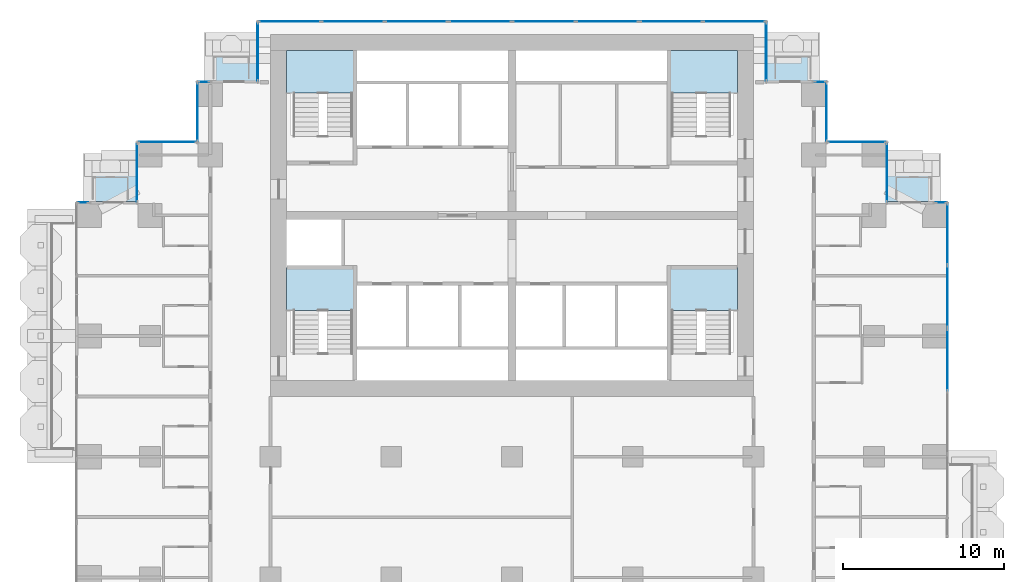
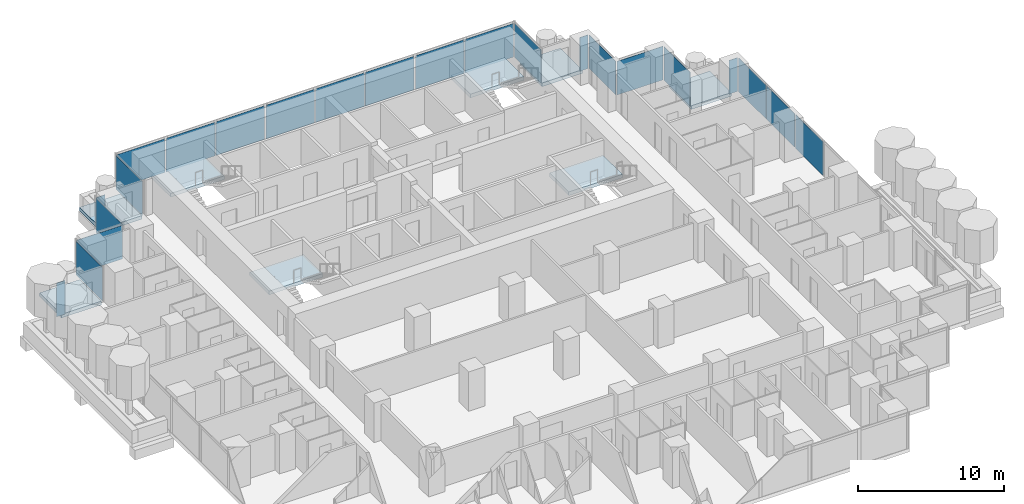
# One storey, part 9 of 19: 23 plates, 8 slabs, 21 elements without a shape of their own.
"""IFC4 building model written with IfcOpenShell, lengths in metres."""

from ifc_helpers import new_model, si_unit, direction, frame, origin, origin_2d, place, context, subcontext, project, spatial, polyline, rectangle, outline, extrude, material, layer, layer_set, type_object, element, aggregate, save


model = new_model("IFC4")

# Units and contexts
model_context = context("Model", 3, precision=1e-05, world=origin(), true_north=direction((0.0, 1.0)))
body_context = subcontext(model_context, "Body", "Model", "MODEL_VIEW")
ifc_project = project(units=[si_unit("LENGTHUNIT", "METRE"), si_unit("AREAUNIT", "SQUARE_METRE"), si_unit("VOLUMEUNIT", "CUBIC_METRE"), si_unit("PLANEANGLEUNIT", "RADIAN"), si_unit("MASSUNIT", "GRAM", prefix="KILO")], contexts=[model_context])

# Site, building, storey
site_placement = place(None, origin())
site = spatial("IfcSite", under=ifc_project, at=site_placement, CompositionType="ELEMENT")
building_placement = place(site_placement, origin())
building = spatial("IfcBuilding", under=site, at=building_placement, Name="Pilkhan Gate Tower", CompositionType="ELEMENT")
storey_placement = place(building_placement, frame((0.0, 0.0, 62.60009765625)))
storey = spatial("IfcBuildingStorey", under=building, at=storey_placement, Name="L13", CompositionType="ELEMENT", Elevation=62.60009765625)

# Slabs
ifc_material_1 = material(Name="Concrete C60/75", Category="concrete")
ifc_layer_1 = layer(ifc_material_1, 0.300048828125)
ifc_layer_set_1 = layer_set([ifc_layer_1], Name="Balcony tray slab TR300")
slab_type_1 = type_object("IfcSlabType", Name="Balcony tray slab TR300", PredefinedType="FLOOR", material=ifc_layer_set_1)
slab_1_placement = place(storey_placement, frame((0.0, 0.0, -0.300048828125)))
element("IfcSlab", 1, at=slab_1_placement, inside=storey, type_object=slab_type_1, Name="Balcony tray L13 N", PredefinedType="FLOOR", context=body_context, shape_type="SweptSolid", body=[
    extrude(outline(polyline([(59.14990234375, 90.85009765625), (59.14990234375, 93.85009765625), (55.949951171875, 93.85009765625), (55.949951171875, 90.85009765625), (59.14990234375, 90.85009765625)])), origin(), (0.0, 0.0, 1.0), 0.300048828125),
])
slab_2_placement = place(storey_placement, frame((0.0, 0.0, -0.300048828125)))
element("IfcSlab", 2, at=slab_2_placement, inside=storey, type_object=slab_type_1, Name="Balcony tray L13 N", PredefinedType="FLOOR", context=body_context, shape_type="SweptSolid", body=[
    extrude(outline(polyline([(94.050048828125, 90.85009765625), (94.050048828125, 93.85009765625), (90.85009765625, 93.85009765625), (90.85009765625, 90.85009765625), (94.050048828125, 90.85009765625)])), origin(), (0.0, 0.0, 1.0), 0.300048828125),
])
slab_3_placement = place(storey_placement, frame((0.0, 0.0, -0.300048828125)))
element("IfcSlab", 3, at=slab_3_placement, inside=storey, type_object=slab_type_1, Name="Balcony tray L13 N", PredefinedType="FLOOR", context=body_context, shape_type="SweptSolid", body=[
    extrude(outline(polyline([(51.6298828125, 83.3701171875), (51.6298828125, 86.35009765625), (48.449951171875, 86.35009765625), (48.449951171875, 83.3701171875), (51.6298828125, 83.3701171875)])), origin(), (0.0, 0.0, 1.0), 0.300048828125),
])
slab_4_placement = place(storey_placement, frame((0.0, 0.0, -0.300048828125)))
element("IfcSlab", 4, at=slab_4_placement, inside=storey, type_object=slab_type_1, Name="Balcony tray L13 N", PredefinedType="FLOOR", context=body_context, shape_type="SweptSolid", body=[
    extrude(outline(polyline([(101.550048828125, 83.3701171875), (101.550048828125, 86.35009765625), (98.3701171875, 86.35009765625), (98.3701171875, 83.3701171875), (101.550048828125, 83.3701171875)])), origin(), (0.0, 0.0, 1.0), 0.300048828125),
])

# Curtain wall, plate
ifc_material_2 = material(Name="Pale anodised aluminium, clear low-iron double glazing", Category="aluminium")
curtain_wall_type = type_object("IfcCurtainWallType", Name="Hotel unitised curtain wall CW-H", PredefinedType="USERDEFINED", material=ifc_material_2)
curtain_wall_1_placement = place(storey_placement, origin())
curtain_wall_1 = element("IfcCurtainWall", 5, at=curtain_wall_1_placement, inside=storey, type_object=curtain_wall_type, Name="Hotel unitised curtain wall CW-H L13 E", ObjectType="UNITISED CURTAIN WALL", PredefinedType="USERDEFINED")
ifc_material_3 = material(Name="Clear low-iron double glazing", Category="glass")
ifc_layer_2 = layer(ifc_material_3, 0.035888671875)
ifc_layer_set_2 = layer_set([ifc_layer_2], Name="Glass panel CW-H 36")
plate_type = type_object("IfcPlateType", Name="Glass panel CW-H 36", PredefinedType="CURTAIN_PANEL", material=ifc_layer_set_2)
plate_1_placement = place(storey_placement, frame((102.044921875, 73.50634765625, 0.0), z_axis=(0.0, 0.0, 1.0), x_axis=(0.0, 1.0, 0.0)))
plate_1 = element("IfcPlate", 6, at=plate_1_placement, type_object=plate_type, Name="CW-H panel 3", PredefinedType="CURTAIN_PANEL", context=body_context, shape_type="SweptSolid", body=[
    extrude(rectangle(XDim=3.8115234375, YDim=0.035888671875, at=origin_2d()), origin(), (0.0, 0.0, 1.0), 2.820068359375),
])
aggregate(curtain_wall_1, [plate_1])

# Curtain wall, plates
curtain_wall_2_placement = place(storey_placement, origin())
curtain_wall_2 = element("IfcCurtainWall", 7, at=curtain_wall_2_placement, inside=storey, type_object=curtain_wall_type, Name="Hotel unitised curtain wall CW-H L13 E", ObjectType="UNITISED CURTAIN WALL", PredefinedType="USERDEFINED")
plate_2_placement = place(storey_placement, frame((102.044921875, 77.44775390625, 0.0), z_axis=(0.0, 0.0, 1.0), x_axis=(0.0, 1.0, 0.0)))
plate_2 = element("IfcPlate", 8, at=plate_2_placement, type_object=plate_type, Name="CW-H panel 1", PredefinedType="CURTAIN_PANEL", context=body_context, shape_type="SweptSolid", body=[
    extrude(rectangle(XDim=3.8115234375, YDim=0.035888671875, at=origin_2d()), origin(), (0.0, 0.0, 1.0), 2.820068359375),
])
plate_3_placement = place(storey_placement, frame((102.044921875, 81.32421875, 0.0), z_axis=(0.0, 0.0, 1.0), x_axis=(0.0, 1.0, 0.0)))
plate_3 = element("IfcPlate", 9, at=plate_3_placement, type_object=plate_type, Name="CW-H panel 2", PredefinedType="CURTAIN_PANEL", context=body_context, shape_type="SweptSolid", body=[
    extrude(rectangle(XDim=3.8115234375, YDim=0.035888671875, at=origin_2d()), origin(), (0.0, 0.0, 1.0), 2.820068359375),
])
aggregate(curtain_wall_2, [plate_2, plate_3])

# Curtain wall, plate
curtain_wall_3_placement = place(storey_placement, origin())
curtain_wall_3 = element("IfcCurtainWall", 10, at=curtain_wall_3_placement, inside=storey, type_object=curtain_wall_type, Name="Hotel unitised curtain wall CW-H L13 N", ObjectType="UNITISED CURTAIN WALL", PredefinedType="USERDEFINED")
plate_4_placement = place(storey_placement, frame((101.6474609375, 83.294921875, 0.0), z_axis=(0.0, 0.0, 1.0), x_axis=(1.0, 0.0, 0.0)))
plate_4 = element("IfcPlate", 11, at=plate_4_placement, type_object=plate_type, Name="CW-H panel 1", PredefinedType="CURTAIN_PANEL", context=body_context, shape_type="SweptSolid", body=[
    extrude(rectangle(XDim=0.6650390625, YDim=0.035888671875, at=origin_2d()), origin(), (0.0, 0.0, 1.0), 2.820068359375),
])
aggregate(curtain_wall_3, [plate_4])

curtain_wall_4_placement = place(storey_placement, origin())
curtain_wall_4 = element("IfcCurtainWall", 12, at=curtain_wall_4_placement, inside=storey, type_object=curtain_wall_type, Name="Hotel unitised curtain wall CW-H L13 E", ObjectType="UNITISED CURTAIN WALL", PredefinedType="USERDEFINED")
plate_5_placement = place(storey_placement, frame((98.294921875, 85.169921875, 0.0), z_axis=(0.0, 0.0, 1.0), x_axis=(0.0, 1.0, 0.0)))
plate_5 = element("IfcPlate", 13, at=plate_5_placement, type_object=plate_type, Name="CW-H panel 1", PredefinedType="CURTAIN_PANEL", context=body_context, shape_type="SweptSolid", body=[
    extrude(rectangle(XDim=3.6201171875, YDim=0.035888671875, at=origin_2d()), origin(), (0.0, 0.0, 1.0), 2.820068359375),
])
aggregate(curtain_wall_4, [plate_5])

curtain_wall_5_placement = place(storey_placement, origin())
curtain_wall_5 = element("IfcCurtainWall", 14, at=curtain_wall_5_placement, inside=storey, type_object=curtain_wall_type, Name="Hotel unitised curtain wall CW-H L13 N", ObjectType="UNITISED CURTAIN WALL", PredefinedType="USERDEFINED")
plate_6_placement = place(storey_placement, frame((96.419921875, 87.044921875, 0.0), z_axis=(0.0, 0.0, 1.0), x_axis=(1.0, 0.0, 0.0)))
plate_6 = element("IfcPlate", 15, at=plate_6_placement, type_object=plate_type, Name="CW-H panel 1", PredefinedType="CURTAIN_PANEL", context=body_context, shape_type="SweptSolid", body=[
    extrude(rectangle(XDim=3.6201171875, YDim=0.035888671875, at=origin_2d()), origin(), (0.0, 0.0, 1.0), 2.820068359375),
])
aggregate(curtain_wall_5, [plate_6])

curtain_wall_6_placement = place(storey_placement, origin())
curtain_wall_6 = element("IfcCurtainWall", 16, at=curtain_wall_6_placement, inside=storey, type_object=curtain_wall_type, Name="Hotel unitised curtain wall CW-H L13 E", ObjectType="UNITISED CURTAIN WALL", PredefinedType="USERDEFINED")
plate_7_placement = place(storey_placement, frame((94.544921875, 88.919921875, 0.0), z_axis=(0.0, 0.0, 1.0), x_axis=(0.0, 1.0, 0.0)))
plate_7 = element("IfcPlate", 17, at=plate_7_placement, type_object=plate_type, Name="CW-H panel 1", PredefinedType="CURTAIN_PANEL", context=body_context, shape_type="SweptSolid", body=[
    extrude(rectangle(XDim=3.6201171875, YDim=0.035888671875, at=origin_2d()), origin(), (0.0, 0.0, 1.0), 2.820068359375),
])
aggregate(curtain_wall_6, [plate_7])

curtain_wall_7_placement = place(storey_placement, origin())
curtain_wall_7 = element("IfcCurtainWall", 18, at=curtain_wall_7_placement, inside=storey, type_object=curtain_wall_type, Name="Hotel unitised curtain wall CW-H L13 N", ObjectType="UNITISED CURTAIN WALL", PredefinedType="USERDEFINED")
plate_8_placement = place(storey_placement, frame((94.1474609375, 90.794921875, 0.0), z_axis=(0.0, 0.0, 1.0), x_axis=(1.0, 0.0, 0.0)))
plate_8 = element("IfcPlate", 19, at=plate_8_placement, type_object=plate_type, Name="CW-H panel 1", PredefinedType="CURTAIN_PANEL", context=body_context, shape_type="SweptSolid", body=[
    extrude(rectangle(XDim=0.6650390625, YDim=0.035888671875, at=origin_2d()), origin(), (0.0, 0.0, 1.0), 2.820068359375),
])
aggregate(curtain_wall_7, [plate_8])

curtain_wall_8_placement = place(storey_placement, origin())
curtain_wall_8 = element("IfcCurtainWall", 20, at=curtain_wall_8_placement, inside=storey, type_object=curtain_wall_type, Name="Hotel unitised curtain wall CW-H L13 E", ObjectType="UNITISED CURTAIN WALL", PredefinedType="USERDEFINED")
plate_9_placement = place(storey_placement, frame((90.794921875, 92.669921875, 0.0), z_axis=(0.0, 0.0, 1.0), x_axis=(0.0, 1.0, 0.0)))
plate_9 = element("IfcPlate", 21, at=plate_9_placement, type_object=plate_type, Name="CW-H panel 1", PredefinedType="CURTAIN_PANEL", context=body_context, shape_type="SweptSolid", body=[
    extrude(rectangle(XDim=3.6201171875, YDim=0.035888671875, at=origin_2d()), origin(), (0.0, 0.0, 1.0), 2.820068359375),
])
aggregate(curtain_wall_8, [plate_9])

# Curtain wall, plates
curtain_wall_9_placement = place(storey_placement, origin())
curtain_wall_9 = element("IfcCurtainWall", 22, at=curtain_wall_9_placement, inside=storey, type_object=curtain_wall_type, Name="Hotel unitised curtain wall CW-H L13 N", ObjectType="UNITISED CURTAIN WALL", PredefinedType="USERDEFINED")
plate_10_placement = place(storey_placement, frame((61.195556640625, 94.544921875, 0.0), z_axis=(0.0, 0.0, 1.0), x_axis=(1.0, 0.0, 0.0)))
plate_10 = element("IfcPlate", 23, at=plate_10_placement, type_object=plate_type, Name="CW-H panel 1", PredefinedType="CURTAIN_PANEL", context=body_context, shape_type="SweptSolid", body=[
    extrude(rectangle(XDim=3.851318359375, YDim=0.035888671875, at=origin_2d()), origin(), (0.0, 0.0, 1.0), 2.820068359375),
])
plate_11_placement = place(storey_placement, frame((65.128173828125, 94.544921875, 0.0), z_axis=(0.0, 0.0, 1.0), x_axis=(1.0, 0.0, 0.0)))
plate_11 = element("IfcPlate", 24, at=plate_11_placement, type_object=plate_type, Name="CW-H panel 2", PredefinedType="CURTAIN_PANEL", context=body_context, shape_type="SweptSolid", body=[
    extrude(rectangle(XDim=3.8837890625, YDim=0.035888671875, at=origin_2d()), origin(), (0.0, 0.0, 1.0), 2.820068359375),
])
plate_12_placement = place(storey_placement, frame((69.060546875, 94.544921875, 0.0), z_axis=(0.0, 0.0, 1.0), x_axis=(1.0, 0.0, 0.0)))
plate_12 = element("IfcPlate", 25, at=plate_12_placement, type_object=plate_type, Name="CW-H panel 3", PredefinedType="CURTAIN_PANEL", context=body_context, shape_type="SweptSolid", body=[
    extrude(rectangle(XDim=3.851318359375, YDim=0.035888671875, at=origin_2d()), origin(), (0.0, 0.0, 1.0), 2.820068359375),
])
aggregate(curtain_wall_9, [plate_10, plate_11, plate_12])

curtain_wall_10_placement = place(storey_placement, origin())
curtain_wall_10 = element("IfcCurtainWall", 26, at=curtain_wall_10_placement, inside=storey, type_object=curtain_wall_type, Name="Hotel unitised curtain wall CW-H L13 N", ObjectType="UNITISED CURTAIN WALL", PredefinedType="USERDEFINED")
plate_13_placement = place(storey_placement, frame((73.0419921875, 94.544921875, 0.0), z_axis=(0.0, 0.0, 1.0), x_axis=(1.0, 0.0, 0.0)))
plate_13 = element("IfcPlate", 27, at=plate_13_placement, type_object=plate_type, Name="CW-H panel 1", PredefinedType="CURTAIN_PANEL", context=body_context, shape_type="SweptSolid", body=[
    extrude(rectangle(XDim=3.851318359375, YDim=0.035888671875, at=origin_2d()), origin(), (0.0, 0.0, 1.0), 2.820068359375),
])
plate_14_placement = place(storey_placement, frame((76.974365234375, 94.544921875, 0.0), z_axis=(0.0, 0.0, 1.0), x_axis=(1.0, 0.0, 0.0)))
plate_14 = element("IfcPlate", 28, at=plate_14_placement, type_object=plate_type, Name="CW-H panel 2", PredefinedType="CURTAIN_PANEL", context=body_context, shape_type="SweptSolid", body=[
    extrude(rectangle(XDim=3.8837890625, YDim=0.035888671875, at=origin_2d()), origin(), (0.0, 0.0, 1.0), 2.820068359375),
])
plate_15_placement = place(storey_placement, frame((80.906982421875, 94.544921875, 0.0), z_axis=(0.0, 0.0, 1.0), x_axis=(1.0, 0.0, 0.0)))
plate_15 = element("IfcPlate", 29, at=plate_15_placement, type_object=plate_type, Name="CW-H panel 3", PredefinedType="CURTAIN_PANEL", context=body_context, shape_type="SweptSolid", body=[
    extrude(rectangle(XDim=3.851318359375, YDim=0.035888671875, at=origin_2d()), origin(), (0.0, 0.0, 1.0), 2.820068359375),
])
aggregate(curtain_wall_10, [plate_13, plate_14, plate_15])

curtain_wall_11_placement = place(storey_placement, origin())
curtain_wall_11 = element("IfcCurtainWall", 30, at=curtain_wall_11_placement, inside=storey, type_object=curtain_wall_type, Name="Hotel unitised curtain wall CW-H L13 N", ObjectType="UNITISED CURTAIN WALL", PredefinedType="USERDEFINED")
plate_16_placement = place(storey_placement, frame((84.88818359375, 94.544921875, 0.0), z_axis=(0.0, 0.0, 1.0), x_axis=(1.0, 0.0, 0.0)))
plate_16 = element("IfcPlate", 31, at=plate_16_placement, type_object=plate_type, Name="CW-H panel 1", PredefinedType="CURTAIN_PANEL", context=body_context, shape_type="SweptSolid", body=[
    extrude(rectangle(XDim=3.851318359375, YDim=0.035888671875, at=origin_2d()), origin(), (0.0, 0.0, 1.0), 2.820068359375),
])
plate_17_placement = place(storey_placement, frame((88.804443359375, 94.544921875, 0.0), z_axis=(0.0, 0.0, 1.0), x_axis=(1.0, 0.0, 0.0)))
plate_17 = element("IfcPlate", 32, at=plate_17_placement, type_object=plate_type, Name="CW-H panel 2", PredefinedType="CURTAIN_PANEL", context=body_context, shape_type="SweptSolid", body=[
    extrude(rectangle(XDim=3.851318359375, YDim=0.035888671875, at=origin_2d()), origin(), (0.0, 0.0, 1.0), 2.820068359375),
])
aggregate(curtain_wall_11, [plate_16, plate_17])

# Curtain wall, plate
curtain_wall_12_placement = place(storey_placement, origin())
curtain_wall_12 = element("IfcCurtainWall", 33, at=curtain_wall_12_placement, inside=storey, type_object=curtain_wall_type, Name="Hotel unitised curtain wall CW-H L13 W", ObjectType="UNITISED CURTAIN WALL", PredefinedType="USERDEFINED")
plate_18_placement = place(storey_placement, frame((59.205078125, 92.669921875, 0.0), z_axis=(0.0, 0.0, 1.0), x_axis=(0.0, 1.0, 0.0)))
plate_18 = element("IfcPlate", 34, at=plate_18_placement, type_object=plate_type, Name="CW-H panel 1", PredefinedType="CURTAIN_PANEL", context=body_context, shape_type="SweptSolid", body=[
    extrude(rectangle(XDim=3.6201171875, YDim=0.035888671875, at=origin_2d()), origin(), (0.0, 0.0, 1.0), 2.820068359375),
])
aggregate(curtain_wall_12, [plate_18])

curtain_wall_13_placement = place(storey_placement, origin())
curtain_wall_13 = element("IfcCurtainWall", 35, at=curtain_wall_13_placement, inside=storey, type_object=curtain_wall_type, Name="Hotel unitised curtain wall CW-H L13 N", ObjectType="UNITISED CURTAIN WALL", PredefinedType="USERDEFINED")
plate_19_placement = place(storey_placement, frame((55.8525390625, 90.794921875, 0.0), z_axis=(0.0, 0.0, 1.0), x_axis=(1.0, 0.0, 0.0)))
plate_19 = element("IfcPlate", 36, at=plate_19_placement, type_object=plate_type, Name="CW-H panel 1", PredefinedType="CURTAIN_PANEL", context=body_context, shape_type="SweptSolid", body=[
    extrude(rectangle(XDim=0.6650390625, YDim=0.035888671875, at=origin_2d()), origin(), (0.0, 0.0, 1.0), 2.820068359375),
])
aggregate(curtain_wall_13, [plate_19])

curtain_wall_14_placement = place(storey_placement, origin())
curtain_wall_14 = element("IfcCurtainWall", 37, at=curtain_wall_14_placement, inside=storey, type_object=curtain_wall_type, Name="Hotel unitised curtain wall CW-H L13 W", ObjectType="UNITISED CURTAIN WALL", PredefinedType="USERDEFINED")
plate_20_placement = place(storey_placement, frame((55.455078125, 88.919921875, 0.0), z_axis=(0.0, 0.0, 1.0), x_axis=(0.0, 1.0, 0.0)))
plate_20 = element("IfcPlate", 38, at=plate_20_placement, type_object=plate_type, Name="CW-H panel 1", PredefinedType="CURTAIN_PANEL", context=body_context, shape_type="SweptSolid", body=[
    extrude(rectangle(XDim=3.6201171875, YDim=0.035888671875, at=origin_2d()), origin(), (0.0, 0.0, 1.0), 2.820068359375),
])
aggregate(curtain_wall_14, [plate_20])

curtain_wall_15_placement = place(storey_placement, origin())
curtain_wall_15 = element("IfcCurtainWall", 39, at=curtain_wall_15_placement, inside=storey, type_object=curtain_wall_type, Name="Hotel unitised curtain wall CW-H L13 N", ObjectType="UNITISED CURTAIN WALL", PredefinedType="USERDEFINED")
plate_21_placement = place(storey_placement, frame((53.580078125, 87.044921875, 0.0), z_axis=(0.0, 0.0, 1.0), x_axis=(1.0, 0.0, 0.0)))
plate_21 = element("IfcPlate", 40, at=plate_21_placement, type_object=plate_type, Name="CW-H panel 1", PredefinedType="CURTAIN_PANEL", context=body_context, shape_type="SweptSolid", body=[
    extrude(rectangle(XDim=3.6201171875, YDim=0.035888671875, at=origin_2d()), origin(), (0.0, 0.0, 1.0), 2.820068359375),
])
aggregate(curtain_wall_15, [plate_21])

curtain_wall_16_placement = place(storey_placement, origin())
curtain_wall_16 = element("IfcCurtainWall", 41, at=curtain_wall_16_placement, inside=storey, type_object=curtain_wall_type, Name="Hotel unitised curtain wall CW-H L13 W", ObjectType="UNITISED CURTAIN WALL", PredefinedType="USERDEFINED")
plate_22_placement = place(storey_placement, frame((51.705078125, 85.169921875, 0.0), z_axis=(0.0, 0.0, 1.0), x_axis=(0.0, 1.0, 0.0)))
plate_22 = element("IfcPlate", 42, at=plate_22_placement, type_object=plate_type, Name="CW-H panel 1", PredefinedType="CURTAIN_PANEL", context=body_context, shape_type="SweptSolid", body=[
    extrude(rectangle(XDim=3.6201171875, YDim=0.035888671875, at=origin_2d()), origin(), (0.0, 0.0, 1.0), 2.820068359375),
])
aggregate(curtain_wall_16, [plate_22])

curtain_wall_17_placement = place(storey_placement, origin())
curtain_wall_17 = element("IfcCurtainWall", 43, at=curtain_wall_17_placement, inside=storey, type_object=curtain_wall_type, Name="Hotel unitised curtain wall CW-H L13 N", ObjectType="UNITISED CURTAIN WALL", PredefinedType="USERDEFINED")
plate_23_placement = place(storey_placement, frame((48.3525390625, 83.294921875, 0.0), z_axis=(0.0, 0.0, 1.0), x_axis=(1.0, 0.0, 0.0)))
plate_23 = element("IfcPlate", 44, at=plate_23_placement, type_object=plate_type, Name="CW-H panel 1", PredefinedType="CURTAIN_PANEL", context=body_context, shape_type="SweptSolid", body=[
    extrude(rectangle(XDim=0.6650390625, YDim=0.035888671875, at=origin_2d()), origin(), (0.0, 0.0, 1.0), 2.820068359375),
])
aggregate(curtain_wall_17, [plate_23])

# Stair, slab
ifc_material_4 = material(Name="Concrete C40/50 precast", Category="concrete")
stair_type_1 = type_object("IfcStairType", Name="Stair ST1 165x300", PredefinedType="HALF_TURN_STAIR", material=ifc_material_4)
stair_1_placement = place(storey_placement, origin())
stair_1 = element("IfcStair", 45, at=stair_1_placement, inside=storey, type_object=stair_type_1, Name="Stair ST1 L13", PredefinedType="HALF_TURN_STAIR")
ifc_material_5 = material(Name="Concrete C40/50", Category="concrete")
ifc_layer_3 = layer(ifc_material_5, 0.199951171875)
ifc_layer_set_3 = layer_set([ifc_layer_3], Name="Stair landing SL200")
slab_type_2 = type_object("IfcSlabType", Name="Stair landing SL200", PredefinedType="LANDING", material=ifc_layer_set_3)
slab_5_placement = place(storey_placement, frame((0.0, 0.0, 1.349853515625)))
slab_5 = element("IfcSlab", 46, at=slab_5_placement, type_object=slab_type_2, Name="ST1 landing 1", PredefinedType="LANDING", context=body_context, shape_type="SweptSolid", body=[
    extrude(outline(polyline([(89.0, 76.60009765625), (89.0, 79.25), (84.75, 79.25), (84.75, 76.60009765625), (89.0, 76.60009765625)])), origin(), (0.0, 0.0, 1.0), 0.300048828125),
])
aggregate(stair_1, [slab_5])

stair_type_2 = type_object("IfcStairType", Name="Stair ST2 165x300", PredefinedType="HALF_TURN_STAIR", material=ifc_material_4)
stair_2_placement = place(storey_placement, origin())
stair_2 = element("IfcStair", 47, at=stair_2_placement, inside=storey, type_object=stair_type_2, Name="Stair ST2 L13", PredefinedType="HALF_TURN_STAIR")
slab_6_placement = place(storey_placement, frame((0.0, 0.0, 1.349853515625)))
slab_6 = element("IfcSlab", 48, at=slab_6_placement, type_object=slab_type_2, Name="ST2 landing 1", PredefinedType="LANDING", context=body_context, shape_type="SweptSolid", body=[
    extrude(outline(polyline([(65.25, 76.60009765625), (65.25, 79.25), (61.0, 79.25), (61.0, 76.60009765625), (65.25, 76.60009765625)])), origin(), (0.0, 0.0, 1.0), 0.300048828125),
])
aggregate(stair_2, [slab_6])

stair_type_3 = type_object("IfcStairType", Name="Stair ST3 165x300", PredefinedType="HALF_TURN_STAIR", material=ifc_material_4)
stair_3_placement = place(storey_placement, origin())
stair_3 = element("IfcStair", 49, at=stair_3_placement, inside=storey, type_object=stair_type_3, Name="Stair ST3 L13", PredefinedType="HALF_TURN_STAIR")
slab_7_placement = place(storey_placement, frame((0.0, 0.0, 1.349853515625)))
slab_7 = element("IfcSlab", 50, at=slab_7_placement, type_object=slab_type_2, Name="ST3 landing 1", PredefinedType="LANDING", context=body_context, shape_type="SweptSolid", body=[
    extrude(outline(polyline([(65.25, 90.10009765625), (65.25, 92.75), (61.0, 92.75), (61.0, 90.10009765625), (65.25, 90.10009765625)])), origin(), (0.0, 0.0, 1.0), 0.300048828125),
])
aggregate(stair_3, [slab_7])

stair_type_4 = type_object("IfcStairType", Name="Stair ST4 165x300", PredefinedType="HALF_TURN_STAIR", material=ifc_material_4)
stair_4_placement = place(storey_placement, origin())
stair_4 = element("IfcStair", 51, at=stair_4_placement, inside=storey, type_object=stair_type_4, Name="Stair ST4 L13", PredefinedType="HALF_TURN_STAIR")
slab_8_placement = place(storey_placement, frame((0.0, 0.0, 1.349853515625)))
slab_8 = element("IfcSlab", 52, at=slab_8_placement, type_object=slab_type_2, Name="ST4 landing 1", PredefinedType="LANDING", context=body_context, shape_type="SweptSolid", body=[
    extrude(outline(polyline([(89.0, 90.10009765625), (89.0, 92.75), (84.75, 92.75), (84.75, 90.10009765625), (89.0, 90.10009765625)])), origin(), (0.0, 0.0, 1.0), 0.300048828125),
])
aggregate(stair_4, [slab_8])

save(model, "model.ifc")
